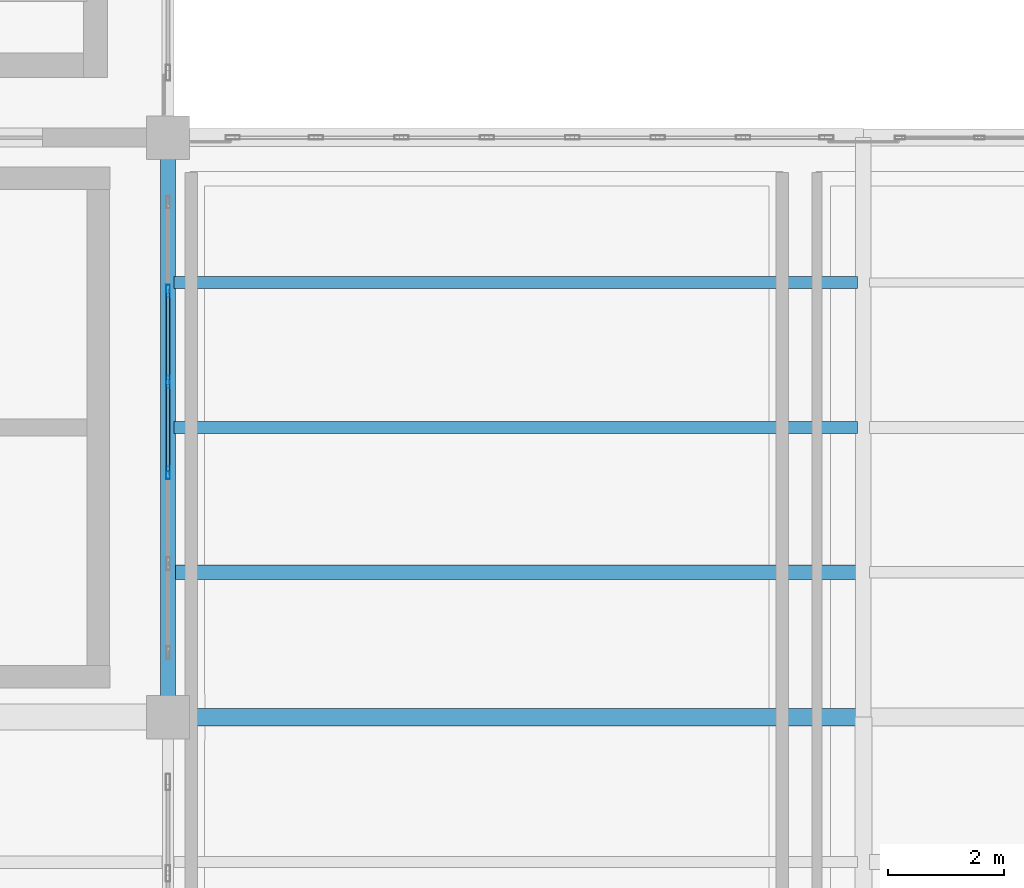
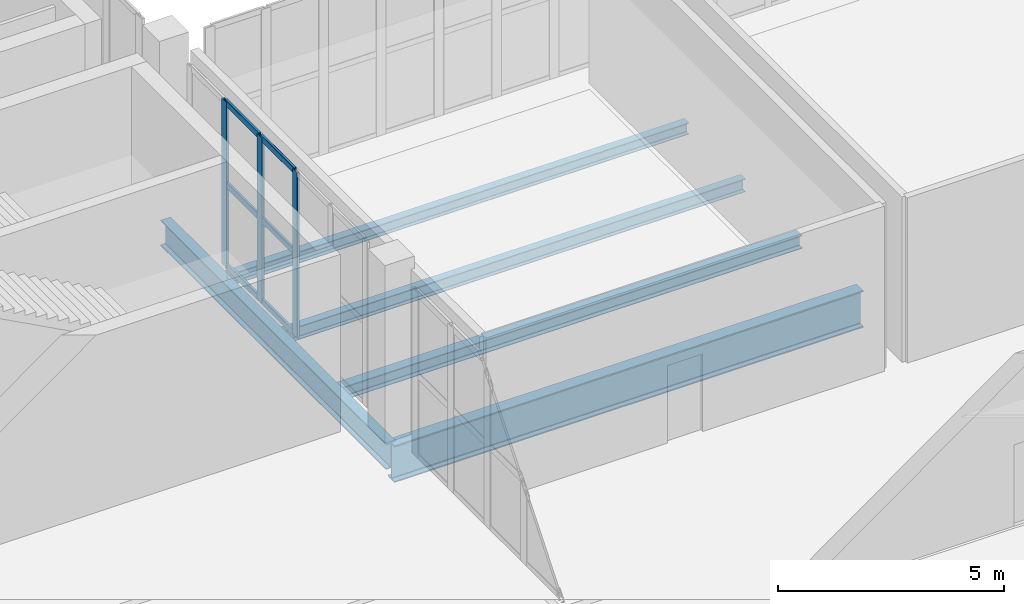
# One storey, part 79 of 136: 9 members, 5 beams, 1 element without a shape of its own.
"""IFC4 building model written with IfcOpenShell, lengths in metres."""

from ifc_helpers import new_model, si_unit, direction, frame, origin, origin_2d, place, context, subcontext, project, spatial, hollow_rectangle, i_section, extrude, material, layer, layer_set, material_profile, profile_set, type_object, element, aggregate, save


model = new_model("IFC4")

# Units and contexts
model_context = context("Model", 3, precision=1e-05, world=origin(), true_north=direction((0.0, 1.0)))
body_context = subcontext(model_context, "Body", "Model", "MODEL_VIEW")
ifc_project = project(units=[si_unit("LENGTHUNIT", "METRE"), si_unit("AREAUNIT", "SQUARE_METRE"), si_unit("VOLUMEUNIT", "CUBIC_METRE"), si_unit("PLANEANGLEUNIT", "RADIAN"), si_unit("MASSUNIT", "GRAM", prefix="KILO")], contexts=[model_context])

# Site, building, storey
site_placement = place(None, origin())
site = spatial("IfcSite", under=ifc_project, at=site_placement, CompositionType="ELEMENT")
building_placement = place(site_placement, origin())
building = spatial("IfcBuilding", under=site, at=building_placement, Name="Brinegate Civic Arena", CompositionType="ELEMENT")
storey_placement = place(building_placement, frame((0.0, 0.0, 5.39990234375)))
storey = spatial("IfcBuildingStorey", under=building, at=storey_placement, Name="L01", CompositionType="ELEMENT", Elevation=5.39990234375)

# Curtain wall, members
ifc_material_1 = material(Name="Marine grade aluminium", Category="aluminium")
ifc_layer = layer(ifc_material_1, 0.199951171875, Name="Marine grade aluminium")
ifc_layer_set = layer_set([ifc_layer], Name="Marine grade aluminium")
curtain_wall_type = type_object("IfcCurtainWallType", Name="CW-BOWL-GLAZED-01", PredefinedType="USERDEFINED", material=ifc_layer_set)
curtain_wall_placement = place(storey_placement, origin())
curtain_wall = element("IfcCurtainWall", 1, at=curtain_wall_placement, inside=storey, type_object=curtain_wall_type, Name="Curtain Wall CWA-055", ObjectType="GLAZED CURTAIN WALL", PredefinedType="USERDEFINED")
ifc_material_profile_1 = material_profile(ifc_material_1, hollow_rectangle(XDim=0.06494140625, YDim=0.219970703125, WallThickness=0.006103515625, InnerFilletRadius=0.00390625, OuterFilletRadius=0.008056640625, at=origin_2d()), Name="MUL65X220")
ifc_profile_set_1 = profile_set([ifc_material_profile_1], Name="Marine grade aluminium")
member_type_1 = type_object("IfcMemberType", Name="CW-MULLION-65X220", PredefinedType="MULLION", material=ifc_profile_set_1)
member_1_placement = place(storey_placement, frame((168.0, 76.216064453125, 0.0), z_axis=(0.0, 0.0, 1.0), x_axis=(-1.0, 0.0, 0.0)))
member_1 = element("IfcMember", 2, at=member_1_placement, type_object=member_type_1, Name="CWA-055 mullion 3", PredefinedType="MULLION", context=body_context, shape_type="SweptSolid", body=[
    extrude(hollow_rectangle(XDim=0.06494140625, YDim=0.219970703125, WallThickness=0.006103515625, InnerFilletRadius=0.00390625, OuterFilletRadius=0.008056640625, at=origin_2d()), origin(), (0.0, 0.0, 1.0), 4.47021484375),
])
member_2_placement = place(storey_placement, frame((168.0, 77.783935546875, 0.0), z_axis=(0.0, 0.0, 1.0), x_axis=(-1.0, 0.0, 0.0)))
member_2 = element("IfcMember", 3, at=member_2_placement, type_object=member_type_1, Name="CWA-055 mullion 4", PredefinedType="MULLION", context=body_context, shape_type="SweptSolid", body=[
    extrude(hollow_rectangle(XDim=0.06494140625, YDim=0.219970703125, WallThickness=0.006103515625, InnerFilletRadius=0.00390625, OuterFilletRadius=0.008056640625, at=origin_2d()), origin(), (0.0, 0.0, 1.0), 4.47021484375),
])
member_3_placement = place(storey_placement, frame((168.0, 79.35205078125, 0.0), z_axis=(0.0, 0.0, 1.0), x_axis=(-1.0, 0.0, 0.0)))
member_3 = element("IfcMember", 4, at=member_3_placement, type_object=member_type_1, Name="CWA-055 mullion 5", PredefinedType="MULLION", context=body_context, shape_type="SweptSolid", body=[
    extrude(hollow_rectangle(XDim=0.06494140625, YDim=0.219970703125, WallThickness=0.006103515625, InnerFilletRadius=0.00390625, OuterFilletRadius=0.008056640625, at=origin_2d()), origin(), (0.0, 0.0, 1.0), 4.47021484375),
])
ifc_material_profile_2 = material_profile(ifc_material_1, hollow_rectangle(XDim=0.06494140625, YDim=0.1650390625, WallThickness=0.0048828125, InnerFilletRadius=0.00390625, OuterFilletRadius=0.008056640625, at=origin_2d()), Name="TRN65X165")
ifc_profile_set_2 = profile_set([ifc_material_profile_2], Name="Marine grade aluminium")
member_type_2 = type_object("IfcMemberType", Name="CW-TRANSOM-65X165", PredefinedType="USERDEFINED", material=ifc_profile_set_2)
member_4_placement = place(storey_placement, frame((168.0, 76.24853515625, 0.03271484375), z_axis=(0.0, 1.0, 0.0), x_axis=(-1.0, 0.0, 0.0)))
member_4 = element("IfcMember", 5, at=member_4_placement, type_object=member_type_2, Name="CWA-055 transom 3.1", ObjectType="TRANSOM", PredefinedType="USERDEFINED", context=body_context, shape_type="SweptSolid", body=[
    extrude(hollow_rectangle(XDim=0.06494140625, YDim=0.1650390625, WallThickness=0.0048828125, InnerFilletRadius=0.00390625, OuterFilletRadius=0.008056640625, at=origin_2d()), origin(), (0.0, 0.0, 1.0), 1.5029296875),
])
member_5_placement = place(storey_placement, frame((168.0, 76.24853515625, 2.235107421875), z_axis=(0.0, 1.0, 0.0), x_axis=(-1.0, 0.0, 0.0)))
member_5 = element("IfcMember", 6, at=member_5_placement, type_object=member_type_2, Name="CWA-055 transom 3.2", ObjectType="TRANSOM", PredefinedType="USERDEFINED", context=body_context, shape_type="SweptSolid", body=[
    extrude(hollow_rectangle(XDim=0.06494140625, YDim=0.1650390625, WallThickness=0.0048828125, InnerFilletRadius=0.00390625, OuterFilletRadius=0.008056640625, at=origin_2d()), origin(), (0.0, 0.0, 1.0), 1.5029296875),
])
member_6_placement = place(storey_placement, frame((168.0, 76.24853515625, 4.4375), z_axis=(0.0, 1.0, 0.0), x_axis=(-1.0, 0.0, 0.0)))
member_6 = element("IfcMember", 7, at=member_6_placement, type_object=member_type_2, Name="CWA-055 transom 3.3", ObjectType="TRANSOM", PredefinedType="USERDEFINED", context=body_context, shape_type="SweptSolid", body=[
    extrude(hollow_rectangle(XDim=0.06494140625, YDim=0.1650390625, WallThickness=0.0048828125, InnerFilletRadius=0.00390625, OuterFilletRadius=0.008056640625, at=origin_2d()), origin(), (0.0, 0.0, 1.0), 1.5029296875),
])
member_7_placement = place(storey_placement, frame((168.0, 77.81640625, 0.03271484375), z_axis=(0.0, 1.0, 0.0), x_axis=(-1.0, 0.0, 0.0)))
member_7 = element("IfcMember", 8, at=member_7_placement, type_object=member_type_2, Name="CWA-055 transom 4.1", ObjectType="TRANSOM", PredefinedType="USERDEFINED", context=body_context, shape_type="SweptSolid", body=[
    extrude(hollow_rectangle(XDim=0.06494140625, YDim=0.1650390625, WallThickness=0.0048828125, InnerFilletRadius=0.00390625, OuterFilletRadius=0.008056640625, at=origin_2d()), origin(), (0.0, 0.0, 1.0), 1.503173828125),
])
member_8_placement = place(storey_placement, frame((168.0, 77.81640625, 2.235107421875), z_axis=(0.0, 1.0, 0.0), x_axis=(-1.0, 0.0, 0.0)))
member_8 = element("IfcMember", 9, at=member_8_placement, type_object=member_type_2, Name="CWA-055 transom 4.2", ObjectType="TRANSOM", PredefinedType="USERDEFINED", context=body_context, shape_type="SweptSolid", body=[
    extrude(hollow_rectangle(XDim=0.06494140625, YDim=0.1650390625, WallThickness=0.0048828125, InnerFilletRadius=0.00390625, OuterFilletRadius=0.008056640625, at=origin_2d()), origin(), (0.0, 0.0, 1.0), 1.503173828125),
])
member_9_placement = place(storey_placement, frame((168.0, 77.81640625, 4.4375), z_axis=(0.0, 1.0, 0.0), x_axis=(-1.0, 0.0, 0.0)))
member_9 = element("IfcMember", 10, at=member_9_placement, type_object=member_type_2, Name="CWA-055 transom 4.3", ObjectType="TRANSOM", PredefinedType="USERDEFINED", context=body_context, shape_type="SweptSolid", body=[
    extrude(hollow_rectangle(XDim=0.06494140625, YDim=0.1650390625, WallThickness=0.0048828125, InnerFilletRadius=0.00390625, OuterFilletRadius=0.008056640625, at=origin_2d()), origin(), (0.0, 0.0, 1.0), 1.503173828125),
])
aggregate(curtain_wall, [member_1, member_2, member_3, member_4, member_5, member_6, member_7, member_8, member_9])

# Beams
ifc_material_2 = material(Name="Steel S355", Category="steel")
ifc_material_profile_3 = material_profile(ifc_material_2, i_section(OverallWidth=0.300048828125, OverallDepth=1.0, WebThickness=0.01904296875, FlangeThickness=0.031982421875, FilletRadius=0.02392578125, at=origin_2d()), Name="W1000X321")
ifc_profile_set_3 = profile_set([ifc_material_profile_3], Name="Steel S355")
beam_type_1 = type_object("IfcBeamType", Name="GIRDER-W1000X321", PredefinedType="BEAM", material=ifc_profile_set_3)
beam_1_placement = place(storey_placement, frame((168.0, 72.0, -0.83984375), z_axis=(1.0, 0.0, 0.0), x_axis=(0.0, 1.0, 0.0)))
element("IfcBeam", 11, at=beam_1_placement, inside=storey, type_object=beam_type_1, Name="Floor Girder BM-L01-GX-14-07", PredefinedType="BEAM", context=body_context, shape_type="SweptSolid", body=[
    extrude(i_section(OverallWidth=0.300048828125, OverallDepth=1.0, WebThickness=0.01904296875, FlangeThickness=0.031982421875, FilletRadius=0.02392578125, at=origin_2d()), origin(), (0.0, 0.0, 1.0), 12.0),
])
ifc_material_profile_4 = material_profile(ifc_material_2, i_section(OverallWidth=0.205078125, OverallDepth=0.31005859375, WebThickness=0.009033203125, FlangeThickness=0.01611328125, FilletRadius=0.012939453125, at=origin_2d()), Name="W310X74")
ifc_profile_set_4 = profile_set([ifc_material_profile_4], Name="Steel S355")
beam_type_2 = type_object("IfcBeamType", Name="JOIST-W310X74", PredefinedType="JOIST", material=ifc_profile_set_4)
beam_2_placement = place(storey_placement, frame((168.10595703125, 79.5, -0.494873046875), z_axis=(1.0, 0.0, 0.0), x_axis=(0.0, 1.0, 0.0)))
element("IfcBeam", 12, at=beam_2_placement, inside=storey, type_object=beam_type_2, Name="Secondary Joist BM-L01-JX-14-07-3", PredefinedType="JOIST", context=body_context, shape_type="SweptSolid", body=[
    extrude(i_section(OverallWidth=0.205078125, OverallDepth=0.31005859375, WebThickness=0.009033203125, FlangeThickness=0.01611328125, FilletRadius=0.012939453125, at=origin_2d()), origin(), (0.0, 0.0, 1.0), 11.7880859375),
])
ifc_material_profile_5 = material_profile(ifc_material_2, i_section(OverallWidth=0.205078125, OverallDepth=0.35400390625, WebThickness=0.009033203125, FlangeThickness=0.01708984375, FilletRadius=0.013916015625, at=origin_2d()), Name="W360X79")
ifc_profile_set_5 = profile_set([ifc_material_profile_5], Name="Steel S355")
beam_type_3 = type_object("IfcBeamType", Name="JOIST-W360X79", PredefinedType="JOIST", material=ifc_profile_set_5)
beam_3_placement = place(storey_placement, frame((168.10595703125, 77.0, -0.516845703125), z_axis=(1.0, 0.0, 0.0), x_axis=(0.0, 1.0, 0.0)))
element("IfcBeam", 13, at=beam_3_placement, inside=storey, type_object=beam_type_3, Name="Secondary Joist BM-L01-JX-14-07-2", PredefinedType="JOIST", context=body_context, shape_type="SweptSolid", body=[
    extrude(i_section(OverallWidth=0.205078125, OverallDepth=0.35400390625, WebThickness=0.009033203125, FlangeThickness=0.01708984375, FilletRadius=0.013916015625, at=origin_2d()), origin(), (0.0, 0.0, 1.0), 11.7880859375),
])
ifc_material_profile_6 = material_profile(ifc_material_2, i_section(OverallWidth=0.25390625, OverallDepth=0.35302734375, WebThickness=0.010009765625, FlangeThickness=0.01611328125, FilletRadius=0.013916015625, at=origin_2d()), Name="W360X91")
ifc_profile_set_6 = profile_set([ifc_material_profile_6], Name="Steel S355")
beam_type_4 = type_object("IfcBeamType", Name="JOIST-W360X91", PredefinedType="JOIST", material=ifc_profile_set_6)
beam_4_placement = place(storey_placement, frame((168.10595703125, 74.5, -0.515869140625), z_axis=(1.0, 0.0, 0.0), x_axis=(0.0, 1.0, 0.0)))
element("IfcBeam", 14, at=beam_4_placement, inside=storey, type_object=beam_type_4, Name="Secondary Joist BM-L01-JX-14-07-1", PredefinedType="JOIST", context=body_context, shape_type="SweptSolid", body=[
    extrude(i_section(OverallWidth=0.25390625, OverallDepth=0.35302734375, WebThickness=0.010009765625, FlangeThickness=0.01611328125, FilletRadius=0.013916015625, at=origin_2d()), origin(), (0.0, 0.0, 1.0), 11.7880859375),
])
ifc_material_profile_7 = material_profile(ifc_material_2, i_section(OverallWidth=0.256103515625, OverallDepth=0.693115234375, WebThickness=0.014892578125, FlangeThickness=0.02392578125, FilletRadius=0.01806640625, at=origin_2d()), Name="W690X170")
ifc_profile_set_7 = profile_set([ifc_material_profile_7], Name="Steel S355")
beam_type_5 = type_object("IfcBeamType", Name="SPANDREL-W690X170", PredefinedType="SPANDREL", material=ifc_profile_set_7)
beam_5_placement = place(storey_placement, frame((168.0, 72.0, -0.685791015625), z_axis=(0.0, 1.0, 0.0), x_axis=(-1.0, 0.0, 0.0)))
element("IfcBeam", 15, at=beam_5_placement, inside=storey, type_object=beam_type_5, Name="Floor Girder BM-L01-GY-14-07", PredefinedType="SPANDREL", context=body_context, shape_type="SweptSolid", body=[
    extrude(i_section(OverallWidth=0.256103515625, OverallDepth=0.693115234375, WebThickness=0.014892578125, FlangeThickness=0.02392578125, FilletRadius=0.01806640625, at=origin_2d()), origin(), (0.0, 0.0, 1.0), 10.0),
])

save(model, "model.ifc")
